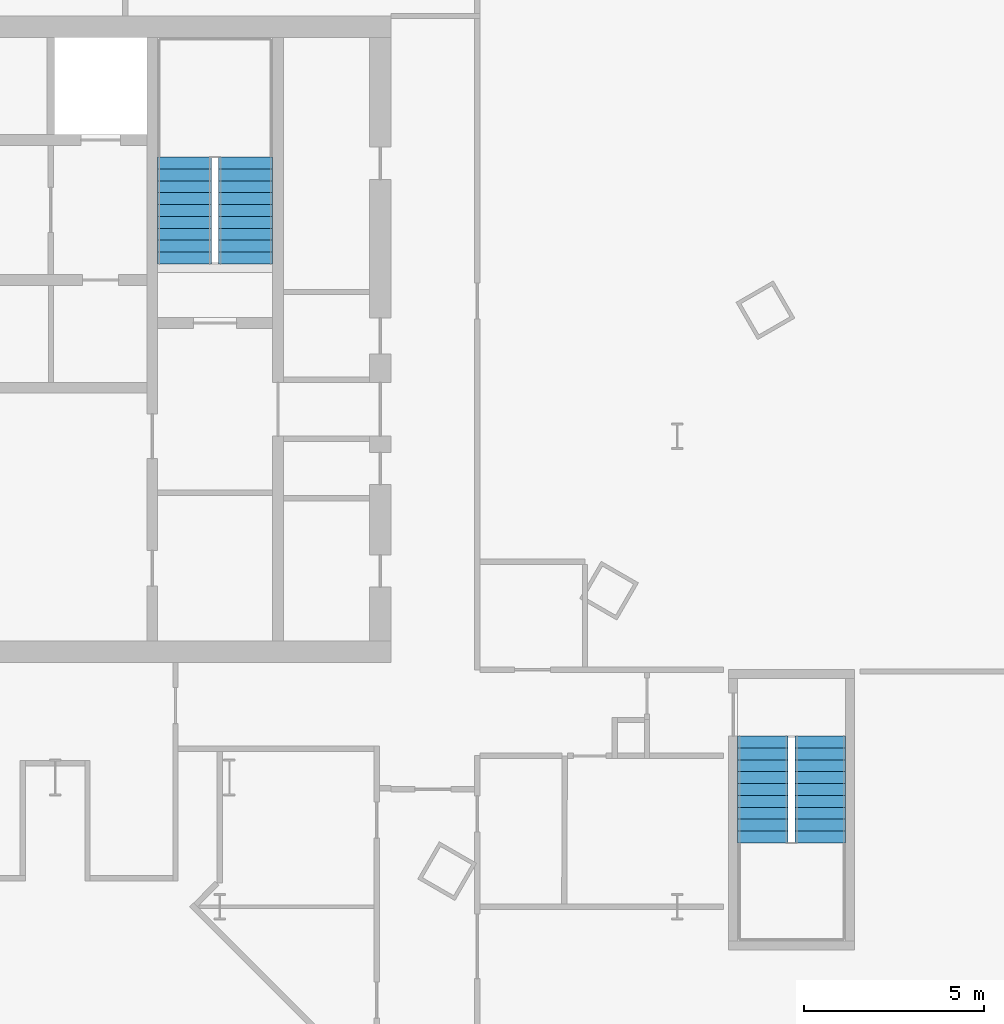
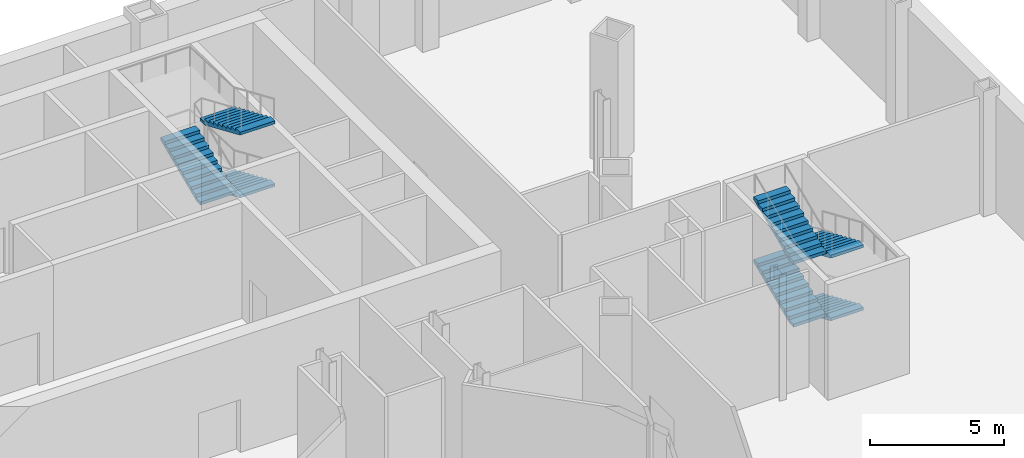
# One storey, part 15 of 17: 7 stair flights, 2 elements without a shape of their own.
"""IFC4 building model written with IfcOpenShell, lengths in metres."""

from ifc_helpers import new_model, si_unit, direction, frame, origin, place, context, subcontext, project, spatial, polygons, material, type_object, element, aggregate, save


model = new_model("IFC4")

# Units and contexts
model_context = context("Model", 3, precision=1e-05, world=origin(), true_north=direction((0.0, 1.0)))
body_context = subcontext(model_context, "Body", "Model", "MODEL_VIEW")
ifc_project = project(units=[si_unit("LENGTHUNIT", "METRE"), si_unit("AREAUNIT", "SQUARE_METRE"), si_unit("VOLUMEUNIT", "CUBIC_METRE"), si_unit("PLANEANGLEUNIT", "RADIAN"), si_unit("MASSUNIT", "GRAM", prefix="KILO")], contexts=[model_context])

# Site, building, storey
site_placement = place(None, origin())
site = spatial("IfcSite", under=ifc_project, at=site_placement, CompositionType="ELEMENT")
building_placement = place(site_placement, origin())
building = spatial("IfcBuilding", under=site, at=building_placement, Name="Njiva Tower", CompositionType="ELEMENT")
storey_placement = place(building_placement, frame((0.0, 0.0, -11.4)))
storey = spatial("IfcBuildingStorey", under=building, at=storey_placement, Name="B2", CompositionType="ELEMENT", Elevation=-11.4)

# Stair, stair flights
ifc_material = material(Name="Concrete C40/50", Category="concrete")
stair_type_1 = type_object("IfcStairType", Name="ST2 Exit stair 1400", PredefinedType="HALF_TURN_STAIR", material=ifc_material)
stair_1_placement = place(storey_placement, origin())
stair_1 = element("IfcStair", 1, at=stair_1_placement, inside=storey, type_object=stair_type_1, Name="Stair G basement", PredefinedType="DOUBLE_RETURN_STAIR")
stair_flight_type_1 = type_object("IfcStairFlightType", Name="FL2 Stair flight 1400", PredefinedType="STRAIGHT", material=ifc_material)
stair_flight_1_placement = place(storey_placement, frame((29.45, -2.05, 0.0), z_axis=(0.0, 0.0, 1.0), x_axis=(0.0, -1.0, 0.0)))
stair_flight_1 = element("IfcStairFlight", 2, at=stair_flight_1_placement, type_object=stair_flight_type_1, Name="ST-GB flight 1", NumberOfRisers=10, NumberOfTreads=9, PredefinedType="STRAIGHT", RiserHeight=0.1425, TreadLength=0.33, context=body_context, shape_type="Tessellation", body=[
    polygons([(0.0, 0.7, 0.0), (0.0, 0.35, 0.0), (0.0, 0.0, 0.0), (0.0, -0.35, 0.0), (0.0, -0.7, 0.0), (0.0, 0.7, 0.1425), (0.0, 0.35, 0.1425), (0.0, 0.0, 0.1425), (0.0, -0.35, 0.1425), (0.0, -0.7, 0.1425), (0.33, 0.7, 0.1425), (0.33, 0.35, 0.1425), (0.33, 0.0, 0.1425), (0.33, -0.35, 0.1425), (0.33, -0.7, 0.1425), (0.33, 0.7, 0.285), (0.33, 0.35, 0.285), (0.33, 0.0, 0.285), (0.33, -0.35, 0.285), (0.33, -0.7, 0.285), (0.66, 0.7, 0.285), (0.66, 0.35, 0.285), (0.66, 0.0, 0.285), (0.66, -0.35, 0.285), (0.66, -0.7, 0.285), (0.66, 0.7, 0.4275), (0.66, 0.35, 0.4275), (0.66, 0.0, 0.4275), (0.66, -0.35, 0.4275), (0.66, -0.7, 0.4275), (0.99, 0.7, 0.4275), (0.99, 0.35, 0.4275), (0.99, 0.0, 0.4275), (0.99, -0.35, 0.4275), (0.99, -0.7, 0.4275), (0.99, 0.7, 0.57), (0.99, 0.35, 0.57), (0.99, 0.0, 0.57), (0.99, -0.35, 0.57), (0.99, -0.7, 0.57), (1.32, 0.7, 0.57), (1.32, 0.35, 0.57), (1.32, 0.0, 0.57), (1.32, -0.35, 0.57), (1.32, -0.7, 0.57), (1.32, 0.7, 0.7125), (1.32, 0.35, 0.7125), (1.32, 0.0, 0.7125), (1.32, -0.35, 0.7125), (1.32, -0.7, 0.7125), (1.65, 0.7, 0.7125), (1.65, 0.35, 0.7125), (1.65, 0.0, 0.7125), (1.65, -0.35, 0.7125), (1.65, -0.7, 0.7125), (1.65, 0.7, 0.855), (1.65, 0.35, 0.855), (1.65, 0.0, 0.855), (1.65, -0.35, 0.855), (1.65, -0.7, 0.855), (1.98, 0.7, 0.855), (1.98, 0.35, 0.855), (1.98, 0.0, 0.855), (1.98, -0.35, 0.855), (1.98, -0.7, 0.855), (1.98, 0.7, 0.9975), (1.98, 0.35, 0.9975), (1.98, 0.0, 0.9975), (1.98, -0.35, 0.9975), (1.98, -0.7, 0.9975), (2.31, 0.7, 0.9975), (2.31, 0.35, 0.9975), (2.31, 0.0, 0.9975), (2.31, -0.35, 0.9975), (2.31, -0.7, 0.9975), (2.31, 0.7, 1.14), (2.31, 0.35, 1.14), (2.31, 0.0, 1.14), (2.31, -0.35, 1.14), (2.31, -0.7, 1.14), (2.64, 0.7, 1.14), (2.64, 0.35, 1.14), (2.64, 0.0, 1.14), (2.64, -0.35, 1.14), (2.64, -0.7, 1.14), (2.64, 0.7, 1.2825), (2.64, 0.35, 1.2825), (2.64, 0.0, 1.2825), (2.64, -0.35, 1.2825), (2.64, -0.7, 1.2825), (2.97, 0.7, 1.2825), (2.97, 0.35, 1.2825), (2.97, 0.0, 1.2825), (2.97, -0.35, 1.2825), (2.97, -0.7, 1.2825), (2.97, 0.7, 1.1518), (2.97, 0.35, 1.1518), (2.97, 0.0, 1.1518), (2.97, -0.35, 1.1518), (2.97, -0.7, 1.1518), (0.3027, 0.7, 0.0), (0.3027, 0.35, 0.0), (0.3027, 0.0, 0.0), (0.3027, -0.35, 0.0), (0.3027, -0.7, 0.0)], [[[1, 6, 11, 16, 21, 26, 31, 36, 41, 46, 51, 56, 61, 66, 71, 76, 81, 86, 91, 96, 101]], [[105, 100, 95, 90, 85, 80, 75, 70, 65, 60, 55, 50, 45, 40, 35, 30, 25, 20, 15, 10, 5]], [[6, 1, 2, 7]], [[7, 2, 3, 8]], [[8, 3, 4, 9]], [[9, 4, 5, 10]], [[11, 6, 7, 12]], [[12, 7, 8, 13]], [[13, 8, 9, 14]], [[14, 9, 10, 15]], [[16, 11, 12, 17]], [[17, 12, 13, 18]], [[18, 13, 14, 19]], [[19, 14, 15, 20]], [[21, 16, 17, 22]], [[22, 17, 18, 23]], [[23, 18, 19, 24]], [[24, 19, 20, 25]], [[26, 21, 22, 27]], [[27, 22, 23, 28]], [[28, 23, 24, 29]], [[29, 24, 25, 30]], [[31, 26, 27, 32]], [[32, 27, 28, 33]], [[33, 28, 29, 34]], [[34, 29, 30, 35]], [[36, 31, 32, 37]], [[37, 32, 33, 38]], [[38, 33, 34, 39]], [[39, 34, 35, 40]], [[41, 36, 37, 42]], [[42, 37, 38, 43]], [[43, 38, 39, 44]], [[44, 39, 40, 45]], [[46, 41, 42, 47]], [[47, 42, 43, 48]], [[48, 43, 44, 49]], [[49, 44, 45, 50]], [[51, 46, 47, 52]], [[52, 47, 48, 53]], [[53, 48, 49, 54]], [[54, 49, 50, 55]], [[56, 51, 52, 57]], [[57, 52, 53, 58]], [[58, 53, 54, 59]], [[59, 54, 55, 60]], [[61, 56, 57, 62]], [[62, 57, 58, 63]], [[63, 58, 59, 64]], [[64, 59, 60, 65]], [[66, 61, 62, 67]], [[67, 62, 63, 68]], [[68, 63, 64, 69]], [[69, 64, 65, 70]], [[71, 66, 67, 72]], [[72, 67, 68, 73]], [[73, 68, 69, 74]], [[74, 69, 70, 75]], [[76, 71, 72, 77]], [[77, 72, 73, 78]], [[78, 73, 74, 79]], [[79, 74, 75, 80]], [[81, 76, 77, 82]], [[82, 77, 78, 83]], [[83, 78, 79, 84]], [[84, 79, 80, 85]], [[86, 81, 82, 87]], [[87, 82, 83, 88]], [[88, 83, 84, 89]], [[89, 84, 85, 90]], [[91, 86, 87, 92]], [[92, 87, 88, 93]], [[93, 88, 89, 94]], [[94, 89, 90, 95]], [[96, 91, 92, 97]], [[97, 92, 93, 98]], [[98, 93, 94, 99]], [[99, 94, 95, 100]], [[101, 96, 97, 102]], [[102, 97, 98, 103]], [[103, 98, 99, 104]], [[104, 99, 100, 105]], [[1, 101, 102, 2]], [[2, 102, 103, 3]], [[3, 103, 104, 4]], [[4, 104, 105, 5]]], closed=True),
])
stair_flight_2_placement = place(storey_placement, frame((27.85, -5.02, 1.425), z_axis=(0.0, 0.0, 1.0), x_axis=(0.0, 1.0, 0.0)))
stair_flight_2 = element("IfcStairFlight", 3, at=stair_flight_2_placement, type_object=stair_flight_type_1, Name="ST-GB flight 2", NumberOfRisers=10, NumberOfTreads=9, PredefinedType="STRAIGHT", RiserHeight=0.1425, TreadLength=0.33, context=body_context, shape_type="Tessellation", body=[
    polygons([(0.0, 0.7, 0.0), (0.0, 0.35, 0.0), (0.0, 0.0, 0.0), (0.0, -0.35, 0.0), (0.0, -0.7, 0.0), (0.0, 0.7, 0.1425), (0.0, 0.35, 0.1425), (0.0, 0.0, 0.1425), (0.0, -0.35, 0.1425), (0.0, -0.7, 0.1425), (0.33, 0.7, 0.1425), (0.33, 0.35, 0.1425), (0.33, 0.0, 0.1425), (0.33, -0.35, 0.1425), (0.33, -0.7, 0.1425), (0.33, 0.7, 0.285), (0.33, 0.35, 0.285), (0.33, 0.0, 0.285), (0.33, -0.35, 0.285), (0.33, -0.7, 0.285), (0.66, 0.7, 0.285), (0.66, 0.35, 0.285), (0.66, 0.0, 0.285), (0.66, -0.35, 0.285), (0.66, -0.7, 0.285), (0.66, 0.7, 0.4275), (0.66, 0.35, 0.4275), (0.66, 0.0, 0.4275), (0.66, -0.35, 0.4275), (0.66, -0.7, 0.4275), (0.99, 0.7, 0.4275), (0.99, 0.35, 0.4275), (0.99, 0.0, 0.4275), (0.99, -0.35, 0.4275), (0.99, -0.7, 0.4275), (0.99, 0.7, 0.57), (0.99, 0.35, 0.57), (0.99, 0.0, 0.57), (0.99, -0.35, 0.57), (0.99, -0.7, 0.57), (1.32, 0.7, 0.57), (1.32, 0.35, 0.57), (1.32, 0.0, 0.57), (1.32, -0.35, 0.57), (1.32, -0.7, 0.57), (1.32, 0.7, 0.7125), (1.32, 0.35, 0.7125), (1.32, 0.0, 0.7125), (1.32, -0.35, 0.7125), (1.32, -0.7, 0.7125), (1.65, 0.7, 0.7125), (1.65, 0.35, 0.7125), (1.65, 0.0, 0.7125), (1.65, -0.35, 0.7125), (1.65, -0.7, 0.7125), (1.65, 0.7, 0.855), (1.65, 0.35, 0.855), (1.65, 0.0, 0.855), (1.65, -0.35, 0.855), (1.65, -0.7, 0.855), (1.98, 0.7, 0.855), (1.98, 0.35, 0.855), (1.98, 0.0, 0.855), (1.98, -0.35, 0.855), (1.98, -0.7, 0.855), (1.98, 0.7, 0.9975), (1.98, 0.35, 0.9975), (1.98, 0.0, 0.9975), (1.98, -0.35, 0.9975), (1.98, -0.7, 0.9975), (2.31, 0.7, 0.9975), (2.31, 0.35, 0.9975), (2.31, 0.0, 0.9975), (2.31, -0.35, 0.9975), (2.31, -0.7, 0.9975), (2.31, 0.7, 1.14), (2.31, 0.35, 1.14), (2.31, 0.0, 1.14), (2.31, -0.35, 1.14), (2.31, -0.7, 1.14), (2.64, 0.7, 1.14), (2.64, 0.35, 1.14), (2.64, 0.0, 1.14), (2.64, -0.35, 1.14), (2.64, -0.7, 1.14), (2.64, 0.7, 1.2825), (2.64, 0.35, 1.2825), (2.64, 0.0, 1.2825), (2.64, -0.35, 1.2825), (2.64, -0.7, 1.2825), (2.97, 0.7, 1.2825), (2.97, 0.35, 1.2825), (2.97, 0.0, 1.2825), (2.97, -0.35, 1.2825), (2.97, -0.7, 1.2825), (2.97, 0.7, 1.1518), (2.97, 0.35, 1.1518), (2.97, 0.0, 1.1518), (2.97, -0.35, 1.1518), (2.97, -0.7, 1.1518), (0.3027, 0.7, 0.0), (0.3027, 0.35, 0.0), (0.3027, 0.0, 0.0), (0.3027, -0.35, 0.0), (0.3027, -0.7, 0.0)], [[[1, 6, 11, 16, 21, 26, 31, 36, 41, 46, 51, 56, 61, 66, 71, 76, 81, 86, 91, 96, 101]], [[105, 100, 95, 90, 85, 80, 75, 70, 65, 60, 55, 50, 45, 40, 35, 30, 25, 20, 15, 10, 5]], [[6, 1, 2, 7]], [[7, 2, 3, 8]], [[8, 3, 4, 9]], [[9, 4, 5, 10]], [[11, 6, 7, 12]], [[12, 7, 8, 13]], [[13, 8, 9, 14]], [[14, 9, 10, 15]], [[16, 11, 12, 17]], [[17, 12, 13, 18]], [[18, 13, 14, 19]], [[19, 14, 15, 20]], [[21, 16, 17, 22]], [[22, 17, 18, 23]], [[23, 18, 19, 24]], [[24, 19, 20, 25]], [[26, 21, 22, 27]], [[27, 22, 23, 28]], [[28, 23, 24, 29]], [[29, 24, 25, 30]], [[31, 26, 27, 32]], [[32, 27, 28, 33]], [[33, 28, 29, 34]], [[34, 29, 30, 35]], [[36, 31, 32, 37]], [[37, 32, 33, 38]], [[38, 33, 34, 39]], [[39, 34, 35, 40]], [[41, 36, 37, 42]], [[42, 37, 38, 43]], [[43, 38, 39, 44]], [[44, 39, 40, 45]], [[46, 41, 42, 47]], [[47, 42, 43, 48]], [[48, 43, 44, 49]], [[49, 44, 45, 50]], [[51, 46, 47, 52]], [[52, 47, 48, 53]], [[53, 48, 49, 54]], [[54, 49, 50, 55]], [[56, 51, 52, 57]], [[57, 52, 53, 58]], [[58, 53, 54, 59]], [[59, 54, 55, 60]], [[61, 56, 57, 62]], [[62, 57, 58, 63]], [[63, 58, 59, 64]], [[64, 59, 60, 65]], [[66, 61, 62, 67]], [[67, 62, 63, 68]], [[68, 63, 64, 69]], [[69, 64, 65, 70]], [[71, 66, 67, 72]], [[72, 67, 68, 73]], [[73, 68, 69, 74]], [[74, 69, 70, 75]], [[76, 71, 72, 77]], [[77, 72, 73, 78]], [[78, 73, 74, 79]], [[79, 74, 75, 80]], [[81, 76, 77, 82]], [[82, 77, 78, 83]], [[83, 78, 79, 84]], [[84, 79, 80, 85]], [[86, 81, 82, 87]], [[87, 82, 83, 88]], [[88, 83, 84, 89]], [[89, 84, 85, 90]], [[91, 86, 87, 92]], [[92, 87, 88, 93]], [[93, 88, 89, 94]], [[94, 89, 90, 95]], [[96, 91, 92, 97]], [[97, 92, 93, 98]], [[98, 93, 94, 99]], [[99, 94, 95, 100]], [[101, 96, 97, 102]], [[102, 97, 98, 103]], [[103, 98, 99, 104]], [[104, 99, 100, 105]], [[1, 101, 102, 2]], [[2, 102, 103, 3]], [[3, 103, 104, 4]], [[4, 104, 105, 5]]], closed=True),
])
stair_flight_3_placement = place(storey_placement, frame((29.45, -2.05, 2.85), z_axis=(0.0, 0.0, 1.0), x_axis=(0.0, -1.0, 0.0)))
stair_flight_3 = element("IfcStairFlight", 4, at=stair_flight_3_placement, type_object=stair_flight_type_1, Name="ST-GB flight 3", NumberOfRisers=10, NumberOfTreads=9, PredefinedType="STRAIGHT", RiserHeight=0.1425, TreadLength=0.33, context=body_context, shape_type="Tessellation", body=[
    polygons([(0.0, 0.7, 0.0), (0.0, 0.35, 0.0), (0.0, 0.0, 0.0), (0.0, -0.35, 0.0), (0.0, -0.7, 0.0), (0.0, 0.7, 0.1425), (0.0, 0.35, 0.1425), (0.0, 0.0, 0.1425), (0.0, -0.35, 0.1425), (0.0, -0.7, 0.1425), (0.33, 0.7, 0.1425), (0.33, 0.35, 0.1425), (0.33, 0.0, 0.1425), (0.33, -0.35, 0.1425), (0.33, -0.7, 0.1425), (0.33, 0.7, 0.285), (0.33, 0.35, 0.285), (0.33, 0.0, 0.285), (0.33, -0.35, 0.285), (0.33, -0.7, 0.285), (0.66, 0.7, 0.285), (0.66, 0.35, 0.285), (0.66, 0.0, 0.285), (0.66, -0.35, 0.285), (0.66, -0.7, 0.285), (0.66, 0.7, 0.4275), (0.66, 0.35, 0.4275), (0.66, 0.0, 0.4275), (0.66, -0.35, 0.4275), (0.66, -0.7, 0.4275), (0.99, 0.7, 0.4275), (0.99, 0.35, 0.4275), (0.99, 0.0, 0.4275), (0.99, -0.35, 0.4275), (0.99, -0.7, 0.4275), (0.99, 0.7, 0.57), (0.99, 0.35, 0.57), (0.99, 0.0, 0.57), (0.99, -0.35, 0.57), (0.99, -0.7, 0.57), (1.32, 0.7, 0.57), (1.32, 0.35, 0.57), (1.32, 0.0, 0.57), (1.32, -0.35, 0.57), (1.32, -0.7, 0.57), (1.32, 0.7, 0.7125), (1.32, 0.35, 0.7125), (1.32, 0.0, 0.7125), (1.32, -0.35, 0.7125), (1.32, -0.7, 0.7125), (1.65, 0.7, 0.7125), (1.65, 0.35, 0.7125), (1.65, 0.0, 0.7125), (1.65, -0.35, 0.7125), (1.65, -0.7, 0.7125), (1.65, 0.7, 0.855), (1.65, 0.35, 0.855), (1.65, 0.0, 0.855), (1.65, -0.35, 0.855), (1.65, -0.7, 0.855), (1.98, 0.7, 0.855), (1.98, 0.35, 0.855), (1.98, 0.0, 0.855), (1.98, -0.35, 0.855), (1.98, -0.7, 0.855), (1.98, 0.7, 0.9975), (1.98, 0.35, 0.9975), (1.98, 0.0, 0.9975), (1.98, -0.35, 0.9975), (1.98, -0.7, 0.9975), (2.31, 0.7, 0.9975), (2.31, 0.35, 0.9975), (2.31, 0.0, 0.9975), (2.31, -0.35, 0.9975), (2.31, -0.7, 0.9975), (2.31, 0.7, 1.14), (2.31, 0.35, 1.14), (2.31, 0.0, 1.14), (2.31, -0.35, 1.14), (2.31, -0.7, 1.14), (2.64, 0.7, 1.14), (2.64, 0.35, 1.14), (2.64, 0.0, 1.14), (2.64, -0.35, 1.14), (2.64, -0.7, 1.14), (2.64, 0.7, 1.2825), (2.64, 0.35, 1.2825), (2.64, 0.0, 1.2825), (2.64, -0.35, 1.2825), (2.64, -0.7, 1.2825), (2.97, 0.7, 1.2825), (2.97, 0.35, 1.2825), (2.97, 0.0, 1.2825), (2.97, -0.35, 1.2825), (2.97, -0.7, 1.2825), (2.97, 0.7, 1.1518), (2.97, 0.35, 1.1518), (2.97, 0.0, 1.1518), (2.97, -0.35, 1.1518), (2.97, -0.7, 1.1518), (0.3027, 0.7, 0.0), (0.3027, 0.35, 0.0), (0.3027, 0.0, 0.0), (0.3027, -0.35, 0.0), (0.3027, -0.7, 0.0)], [[[1, 6, 11, 16, 21, 26, 31, 36, 41, 46, 51, 56, 61, 66, 71, 76, 81, 86, 91, 96, 101]], [[105, 100, 95, 90, 85, 80, 75, 70, 65, 60, 55, 50, 45, 40, 35, 30, 25, 20, 15, 10, 5]], [[6, 1, 2, 7]], [[7, 2, 3, 8]], [[8, 3, 4, 9]], [[9, 4, 5, 10]], [[11, 6, 7, 12]], [[12, 7, 8, 13]], [[13, 8, 9, 14]], [[14, 9, 10, 15]], [[16, 11, 12, 17]], [[17, 12, 13, 18]], [[18, 13, 14, 19]], [[19, 14, 15, 20]], [[21, 16, 17, 22]], [[22, 17, 18, 23]], [[23, 18, 19, 24]], [[24, 19, 20, 25]], [[26, 21, 22, 27]], [[27, 22, 23, 28]], [[28, 23, 24, 29]], [[29, 24, 25, 30]], [[31, 26, 27, 32]], [[32, 27, 28, 33]], [[33, 28, 29, 34]], [[34, 29, 30, 35]], [[36, 31, 32, 37]], [[37, 32, 33, 38]], [[38, 33, 34, 39]], [[39, 34, 35, 40]], [[41, 36, 37, 42]], [[42, 37, 38, 43]], [[43, 38, 39, 44]], [[44, 39, 40, 45]], [[46, 41, 42, 47]], [[47, 42, 43, 48]], [[48, 43, 44, 49]], [[49, 44, 45, 50]], [[51, 46, 47, 52]], [[52, 47, 48, 53]], [[53, 48, 49, 54]], [[54, 49, 50, 55]], [[56, 51, 52, 57]], [[57, 52, 53, 58]], [[58, 53, 54, 59]], [[59, 54, 55, 60]], [[61, 56, 57, 62]], [[62, 57, 58, 63]], [[63, 58, 59, 64]], [[64, 59, 60, 65]], [[66, 61, 62, 67]], [[67, 62, 63, 68]], [[68, 63, 64, 69]], [[69, 64, 65, 70]], [[71, 66, 67, 72]], [[72, 67, 68, 73]], [[73, 68, 69, 74]], [[74, 69, 70, 75]], [[76, 71, 72, 77]], [[77, 72, 73, 78]], [[78, 73, 74, 79]], [[79, 74, 75, 80]], [[81, 76, 77, 82]], [[82, 77, 78, 83]], [[83, 78, 79, 84]], [[84, 79, 80, 85]], [[86, 81, 82, 87]], [[87, 82, 83, 88]], [[88, 83, 84, 89]], [[89, 84, 85, 90]], [[91, 86, 87, 92]], [[92, 87, 88, 93]], [[93, 88, 89, 94]], [[94, 89, 90, 95]], [[96, 91, 92, 97]], [[97, 92, 93, 98]], [[98, 93, 94, 99]], [[99, 94, 95, 100]], [[101, 96, 97, 102]], [[102, 97, 98, 103]], [[103, 98, 99, 104]], [[104, 99, 100, 105]], [[1, 101, 102, 2]], [[2, 102, 103, 3]], [[3, 103, 104, 4]], [[4, 104, 105, 5]]], closed=True),
])
stair_flight_4_placement = place(storey_placement, frame((27.85, -5.02, 4.275), z_axis=(0.0, 0.0, 1.0), x_axis=(0.0, 1.0, 0.0)))
stair_flight_4 = element("IfcStairFlight", 5, at=stair_flight_4_placement, type_object=stair_flight_type_1, Name="ST-GB flight 4", NumberOfRisers=10, NumberOfTreads=9, PredefinedType="STRAIGHT", RiserHeight=0.1425, TreadLength=0.33, context=body_context, shape_type="Tessellation", body=[
    polygons([(0.0, 0.7, 0.0), (0.0, 0.35, 0.0), (0.0, 0.0, 0.0), (0.0, -0.35, 0.0), (0.0, -0.7, 0.0), (0.0, 0.7, 0.1425), (0.0, 0.35, 0.1425), (0.0, 0.0, 0.1425), (0.0, -0.35, 0.1425), (0.0, -0.7, 0.1425), (0.33, 0.7, 0.1425), (0.33, 0.35, 0.1425), (0.33, 0.0, 0.1425), (0.33, -0.35, 0.1425), (0.33, -0.7, 0.1425), (0.33, 0.7, 0.285), (0.33, 0.35, 0.285), (0.33, 0.0, 0.285), (0.33, -0.35, 0.285), (0.33, -0.7, 0.285), (0.66, 0.7, 0.285), (0.66, 0.35, 0.285), (0.66, 0.0, 0.285), (0.66, -0.35, 0.285), (0.66, -0.7, 0.285), (0.66, 0.7, 0.4275), (0.66, 0.35, 0.4275), (0.66, 0.0, 0.4275), (0.66, -0.35, 0.4275), (0.66, -0.7, 0.4275), (0.99, 0.7, 0.4275), (0.99, 0.35, 0.4275), (0.99, 0.0, 0.4275), (0.99, -0.35, 0.4275), (0.99, -0.7, 0.4275), (0.99, 0.7, 0.57), (0.99, 0.35, 0.57), (0.99, 0.0, 0.57), (0.99, -0.35, 0.57), (0.99, -0.7, 0.57), (1.32, 0.7, 0.57), (1.32, 0.35, 0.57), (1.32, 0.0, 0.57), (1.32, -0.35, 0.57), (1.32, -0.7, 0.57), (1.32, 0.7, 0.7125), (1.32, 0.35, 0.7125), (1.32, 0.0, 0.7125), (1.32, -0.35, 0.7125), (1.32, -0.7, 0.7125), (1.65, 0.7, 0.7125), (1.65, 0.35, 0.7125), (1.65, 0.0, 0.7125), (1.65, -0.35, 0.7125), (1.65, -0.7, 0.7125), (1.65, 0.7, 0.855), (1.65, 0.35, 0.855), (1.65, 0.0, 0.855), (1.65, -0.35, 0.855), (1.65, -0.7, 0.855), (1.98, 0.7, 0.855), (1.98, 0.35, 0.855), (1.98, 0.0, 0.855), (1.98, -0.35, 0.855), (1.98, -0.7, 0.855), (1.98, 0.7, 0.9975), (1.98, 0.35, 0.9975), (1.98, 0.0, 0.9975), (1.98, -0.35, 0.9975), (1.98, -0.7, 0.9975), (2.31, 0.7, 0.9975), (2.31, 0.35, 0.9975), (2.31, 0.0, 0.9975), (2.31, -0.35, 0.9975), (2.31, -0.7, 0.9975), (2.31, 0.7, 1.14), (2.31, 0.35, 1.14), (2.31, 0.0, 1.14), (2.31, -0.35, 1.14), (2.31, -0.7, 1.14), (2.64, 0.7, 1.14), (2.64, 0.35, 1.14), (2.64, 0.0, 1.14), (2.64, -0.35, 1.14), (2.64, -0.7, 1.14), (2.64, 0.7, 1.2825), (2.64, 0.35, 1.2825), (2.64, 0.0, 1.2825), (2.64, -0.35, 1.2825), (2.64, -0.7, 1.2825), (2.97, 0.7, 1.2825), (2.97, 0.35, 1.2825), (2.97, 0.0, 1.2825), (2.97, -0.35, 1.2825), (2.97, -0.7, 1.2825), (2.97, 0.7, 1.1518), (2.97, 0.35, 1.1518), (2.97, 0.0, 1.1518), (2.97, -0.35, 1.1518), (2.97, -0.7, 1.1518), (0.3027, 0.7, 0.0), (0.3027, 0.35, 0.0), (0.3027, 0.0, 0.0), (0.3027, -0.35, 0.0), (0.3027, -0.7, 0.0)], [[[1, 6, 11, 16, 21, 26, 31, 36, 41, 46, 51, 56, 61, 66, 71, 76, 81, 86, 91, 96, 101]], [[105, 100, 95, 90, 85, 80, 75, 70, 65, 60, 55, 50, 45, 40, 35, 30, 25, 20, 15, 10, 5]], [[6, 1, 2, 7]], [[7, 2, 3, 8]], [[8, 3, 4, 9]], [[9, 4, 5, 10]], [[11, 6, 7, 12]], [[12, 7, 8, 13]], [[13, 8, 9, 14]], [[14, 9, 10, 15]], [[16, 11, 12, 17]], [[17, 12, 13, 18]], [[18, 13, 14, 19]], [[19, 14, 15, 20]], [[21, 16, 17, 22]], [[22, 17, 18, 23]], [[23, 18, 19, 24]], [[24, 19, 20, 25]], [[26, 21, 22, 27]], [[27, 22, 23, 28]], [[28, 23, 24, 29]], [[29, 24, 25, 30]], [[31, 26, 27, 32]], [[32, 27, 28, 33]], [[33, 28, 29, 34]], [[34, 29, 30, 35]], [[36, 31, 32, 37]], [[37, 32, 33, 38]], [[38, 33, 34, 39]], [[39, 34, 35, 40]], [[41, 36, 37, 42]], [[42, 37, 38, 43]], [[43, 38, 39, 44]], [[44, 39, 40, 45]], [[46, 41, 42, 47]], [[47, 42, 43, 48]], [[48, 43, 44, 49]], [[49, 44, 45, 50]], [[51, 46, 47, 52]], [[52, 47, 48, 53]], [[53, 48, 49, 54]], [[54, 49, 50, 55]], [[56, 51, 52, 57]], [[57, 52, 53, 58]], [[58, 53, 54, 59]], [[59, 54, 55, 60]], [[61, 56, 57, 62]], [[62, 57, 58, 63]], [[63, 58, 59, 64]], [[64, 59, 60, 65]], [[66, 61, 62, 67]], [[67, 62, 63, 68]], [[68, 63, 64, 69]], [[69, 64, 65, 70]], [[71, 66, 67, 72]], [[72, 67, 68, 73]], [[73, 68, 69, 74]], [[74, 69, 70, 75]], [[76, 71, 72, 77]], [[77, 72, 73, 78]], [[78, 73, 74, 79]], [[79, 74, 75, 80]], [[81, 76, 77, 82]], [[82, 77, 78, 83]], [[83, 78, 79, 84]], [[84, 79, 80, 85]], [[86, 81, 82, 87]], [[87, 82, 83, 88]], [[88, 83, 84, 89]], [[89, 84, 85, 90]], [[91, 86, 87, 92]], [[92, 87, 88, 93]], [[93, 88, 89, 94]], [[94, 89, 90, 95]], [[96, 91, 92, 97]], [[97, 92, 93, 98]], [[98, 93, 94, 99]], [[99, 94, 95, 100]], [[101, 96, 97, 102]], [[102, 97, 98, 103]], [[103, 98, 99, 104]], [[104, 99, 100, 105]], [[1, 101, 102, 2]], [[2, 102, 103, 3]], [[3, 103, 104, 4]], [[4, 104, 105, 5]]], closed=True),
])
aggregate(stair_1, [stair_flight_1, stair_flight_2, stair_flight_3, stair_flight_4])

stair_type_2 = type_object("IfcStairType", Name="ST4 Exit stair 1500", PredefinedType="HALF_TURN_STAIR", material=ifc_material)
stair_2_placement = place(storey_placement, origin())
stair_2 = element("IfcStair", 6, at=stair_2_placement, inside=storey, type_object=stair_type_2, Name="Stair B basement", PredefinedType="DOUBLE_RETURN_STAIR")
stair_flight_type_2 = type_object("IfcStairFlightType", Name="FL4 Stair flight 1500", PredefinedType="STRAIGHT", material=ifc_material)
stair_flight_5_placement = place(storey_placement, frame((13.45, 14.07, 1.425), z_axis=(0.0, 0.0, 1.0), x_axis=(0.0, -1.0, 0.0)))
stair_flight_5 = element("IfcStairFlight", 7, at=stair_flight_5_placement, type_object=stair_flight_type_2, Name="ST-BB flight 2", NumberOfRisers=10, NumberOfTreads=9, PredefinedType="STRAIGHT", RiserHeight=0.1425, TreadLength=0.33, context=body_context, shape_type="Tessellation", body=[
    polygons([(0.0, 0.75, 0.0), (0.0, 0.375, 0.0), (0.0, 0.0, 0.0), (0.0, -0.375, 0.0), (0.0, -0.75, 0.0), (0.0, 0.75, 0.1425), (0.0, 0.375, 0.1425), (0.0, 0.0, 0.1425), (0.0, -0.375, 0.1425), (0.0, -0.75, 0.1425), (0.33, 0.75, 0.1425), (0.33, 0.375, 0.1425), (0.33, 0.0, 0.1425), (0.33, -0.375, 0.1425), (0.33, -0.75, 0.1425), (0.33, 0.75, 0.285), (0.33, 0.375, 0.285), (0.33, 0.0, 0.285), (0.33, -0.375, 0.285), (0.33, -0.75, 0.285), (0.66, 0.75, 0.285), (0.66, 0.375, 0.285), (0.66, 0.0, 0.285), (0.66, -0.375, 0.285), (0.66, -0.75, 0.285), (0.66, 0.75, 0.4275), (0.66, 0.375, 0.4275), (0.66, 0.0, 0.4275), (0.66, -0.375, 0.4275), (0.66, -0.75, 0.4275), (0.99, 0.75, 0.4275), (0.99, 0.375, 0.4275), (0.99, 0.0, 0.4275), (0.99, -0.375, 0.4275), (0.99, -0.75, 0.4275), (0.99, 0.75, 0.57), (0.99, 0.375, 0.57), (0.99, 0.0, 0.57), (0.99, -0.375, 0.57), (0.99, -0.75, 0.57), (1.32, 0.75, 0.57), (1.32, 0.375, 0.57), (1.32, 0.0, 0.57), (1.32, -0.375, 0.57), (1.32, -0.75, 0.57), (1.32, 0.75, 0.7125), (1.32, 0.375, 0.7125), (1.32, 0.0, 0.7125), (1.32, -0.375, 0.7125), (1.32, -0.75, 0.7125), (1.65, 0.75, 0.7125), (1.65, 0.375, 0.7125), (1.65, 0.0, 0.7125), (1.65, -0.375, 0.7125), (1.65, -0.75, 0.7125), (1.65, 0.75, 0.855), (1.65, 0.375, 0.855), (1.65, 0.0, 0.855), (1.65, -0.375, 0.855), (1.65, -0.75, 0.855), (1.98, 0.75, 0.855), (1.98, 0.375, 0.855), (1.98, 0.0, 0.855), (1.98, -0.375, 0.855), (1.98, -0.75, 0.855), (1.98, 0.75, 0.9975), (1.98, 0.375, 0.9975), (1.98, 0.0, 0.9975), (1.98, -0.375, 0.9975), (1.98, -0.75, 0.9975), (2.31, 0.75, 0.9975), (2.31, 0.375, 0.9975), (2.31, 0.0, 0.9975), (2.31, -0.375, 0.9975), (2.31, -0.75, 0.9975), (2.31, 0.75, 1.14), (2.31, 0.375, 1.14), (2.31, 0.0, 1.14), (2.31, -0.375, 1.14), (2.31, -0.75, 1.14), (2.64, 0.75, 1.14), (2.64, 0.375, 1.14), (2.64, 0.0, 1.14), (2.64, -0.375, 1.14), (2.64, -0.75, 1.14), (2.64, 0.75, 1.2825), (2.64, 0.375, 1.2825), (2.64, 0.0, 1.2825), (2.64, -0.375, 1.2825), (2.64, -0.75, 1.2825), (2.97, 0.75, 1.2825), (2.97, 0.375, 1.2825), (2.97, 0.0, 1.2825), (2.97, -0.375, 1.2825), (2.97, -0.75, 1.2825), (2.97, 0.75, 1.1518), (2.97, 0.375, 1.1518), (2.97, 0.0, 1.1518), (2.97, -0.375, 1.1518), (2.97, -0.75, 1.1518), (0.3027, 0.75, 0.0), (0.3027, 0.375, 0.0), (0.3027, 0.0, 0.0), (0.3027, -0.375, 0.0), (0.3027, -0.75, 0.0)], [[[1, 6, 11, 16, 21, 26, 31, 36, 41, 46, 51, 56, 61, 66, 71, 76, 81, 86, 91, 96, 101]], [[105, 100, 95, 90, 85, 80, 75, 70, 65, 60, 55, 50, 45, 40, 35, 30, 25, 20, 15, 10, 5]], [[6, 1, 2, 7]], [[7, 2, 3, 8]], [[8, 3, 4, 9]], [[9, 4, 5, 10]], [[11, 6, 7, 12]], [[12, 7, 8, 13]], [[13, 8, 9, 14]], [[14, 9, 10, 15]], [[16, 11, 12, 17]], [[17, 12, 13, 18]], [[18, 13, 14, 19]], [[19, 14, 15, 20]], [[21, 16, 17, 22]], [[22, 17, 18, 23]], [[23, 18, 19, 24]], [[24, 19, 20, 25]], [[26, 21, 22, 27]], [[27, 22, 23, 28]], [[28, 23, 24, 29]], [[29, 24, 25, 30]], [[31, 26, 27, 32]], [[32, 27, 28, 33]], [[33, 28, 29, 34]], [[34, 29, 30, 35]], [[36, 31, 32, 37]], [[37, 32, 33, 38]], [[38, 33, 34, 39]], [[39, 34, 35, 40]], [[41, 36, 37, 42]], [[42, 37, 38, 43]], [[43, 38, 39, 44]], [[44, 39, 40, 45]], [[46, 41, 42, 47]], [[47, 42, 43, 48]], [[48, 43, 44, 49]], [[49, 44, 45, 50]], [[51, 46, 47, 52]], [[52, 47, 48, 53]], [[53, 48, 49, 54]], [[54, 49, 50, 55]], [[56, 51, 52, 57]], [[57, 52, 53, 58]], [[58, 53, 54, 59]], [[59, 54, 55, 60]], [[61, 56, 57, 62]], [[62, 57, 58, 63]], [[63, 58, 59, 64]], [[64, 59, 60, 65]], [[66, 61, 62, 67]], [[67, 62, 63, 68]], [[68, 63, 64, 69]], [[69, 64, 65, 70]], [[71, 66, 67, 72]], [[72, 67, 68, 73]], [[73, 68, 69, 74]], [[74, 69, 70, 75]], [[76, 71, 72, 77]], [[77, 72, 73, 78]], [[78, 73, 74, 79]], [[79, 74, 75, 80]], [[81, 76, 77, 82]], [[82, 77, 78, 83]], [[83, 78, 79, 84]], [[84, 79, 80, 85]], [[86, 81, 82, 87]], [[87, 82, 83, 88]], [[88, 83, 84, 89]], [[89, 84, 85, 90]], [[91, 86, 87, 92]], [[92, 87, 88, 93]], [[93, 88, 89, 94]], [[94, 89, 90, 95]], [[96, 91, 92, 97]], [[97, 92, 93, 98]], [[98, 93, 94, 99]], [[99, 94, 95, 100]], [[101, 96, 97, 102]], [[102, 97, 98, 103]], [[103, 98, 99, 104]], [[104, 99, 100, 105]], [[1, 101, 102, 2]], [[2, 102, 103, 3]], [[3, 103, 104, 4]], [[4, 104, 105, 5]]], closed=True),
])
stair_flight_6_placement = place(storey_placement, frame((11.75, 11.1, 2.85), z_axis=(0.0, 0.0, 1.0), x_axis=(0.0, 1.0, 0.0)))
stair_flight_6 = element("IfcStairFlight", 8, at=stair_flight_6_placement, type_object=stair_flight_type_2, Name="ST-BB flight 3", NumberOfRisers=10, NumberOfTreads=9, PredefinedType="STRAIGHT", RiserHeight=0.1425, TreadLength=0.33, context=body_context, shape_type="Tessellation", body=[
    polygons([(0.0, 0.75, 0.0), (0.0, 0.375, 0.0), (0.0, 0.0, 0.0), (0.0, -0.375, 0.0), (0.0, -0.75, 0.0), (0.0, 0.75, 0.1425), (0.0, 0.375, 0.1425), (0.0, 0.0, 0.1425), (0.0, -0.375, 0.1425), (0.0, -0.75, 0.1425), (0.33, 0.75, 0.1425), (0.33, 0.375, 0.1425), (0.33, 0.0, 0.1425), (0.33, -0.375, 0.1425), (0.33, -0.75, 0.1425), (0.33, 0.75, 0.285), (0.33, 0.375, 0.285), (0.33, 0.0, 0.285), (0.33, -0.375, 0.285), (0.33, -0.75, 0.285), (0.66, 0.75, 0.285), (0.66, 0.375, 0.285), (0.66, 0.0, 0.285), (0.66, -0.375, 0.285), (0.66, -0.75, 0.285), (0.66, 0.75, 0.4275), (0.66, 0.375, 0.4275), (0.66, 0.0, 0.4275), (0.66, -0.375, 0.4275), (0.66, -0.75, 0.4275), (0.99, 0.75, 0.4275), (0.99, 0.375, 0.4275), (0.99, 0.0, 0.4275), (0.99, -0.375, 0.4275), (0.99, -0.75, 0.4275), (0.99, 0.75, 0.57), (0.99, 0.375, 0.57), (0.99, 0.0, 0.57), (0.99, -0.375, 0.57), (0.99, -0.75, 0.57), (1.32, 0.75, 0.57), (1.32, 0.375, 0.57), (1.32, 0.0, 0.57), (1.32, -0.375, 0.57), (1.32, -0.75, 0.57), (1.32, 0.75, 0.7125), (1.32, 0.375, 0.7125), (1.32, 0.0, 0.7125), (1.32, -0.375, 0.7125), (1.32, -0.75, 0.7125), (1.65, 0.75, 0.7125), (1.65, 0.375, 0.7125), (1.65, 0.0, 0.7125), (1.65, -0.375, 0.7125), (1.65, -0.75, 0.7125), (1.65, 0.75, 0.855), (1.65, 0.375, 0.855), (1.65, 0.0, 0.855), (1.65, -0.375, 0.855), (1.65, -0.75, 0.855), (1.98, 0.75, 0.855), (1.98, 0.375, 0.855), (1.98, 0.0, 0.855), (1.98, -0.375, 0.855), (1.98, -0.75, 0.855), (1.98, 0.75, 0.9975), (1.98, 0.375, 0.9975), (1.98, 0.0, 0.9975), (1.98, -0.375, 0.9975), (1.98, -0.75, 0.9975), (2.31, 0.75, 0.9975), (2.31, 0.375, 0.9975), (2.31, 0.0, 0.9975), (2.31, -0.375, 0.9975), (2.31, -0.75, 0.9975), (2.31, 0.75, 1.14), (2.31, 0.375, 1.14), (2.31, 0.0, 1.14), (2.31, -0.375, 1.14), (2.31, -0.75, 1.14), (2.64, 0.75, 1.14), (2.64, 0.375, 1.14), (2.64, 0.0, 1.14), (2.64, -0.375, 1.14), (2.64, -0.75, 1.14), (2.64, 0.75, 1.2825), (2.64, 0.375, 1.2825), (2.64, 0.0, 1.2825), (2.64, -0.375, 1.2825), (2.64, -0.75, 1.2825), (2.97, 0.75, 1.2825), (2.97, 0.375, 1.2825), (2.97, 0.0, 1.2825), (2.97, -0.375, 1.2825), (2.97, -0.75, 1.2825), (2.97, 0.75, 1.1518), (2.97, 0.375, 1.1518), (2.97, 0.0, 1.1518), (2.97, -0.375, 1.1518), (2.97, -0.75, 1.1518), (0.3027, 0.75, 0.0), (0.3027, 0.375, 0.0), (0.3027, 0.0, 0.0), (0.3027, -0.375, 0.0), (0.3027, -0.75, 0.0)], [[[1, 6, 11, 16, 21, 26, 31, 36, 41, 46, 51, 56, 61, 66, 71, 76, 81, 86, 91, 96, 101]], [[105, 100, 95, 90, 85, 80, 75, 70, 65, 60, 55, 50, 45, 40, 35, 30, 25, 20, 15, 10, 5]], [[6, 1, 2, 7]], [[7, 2, 3, 8]], [[8, 3, 4, 9]], [[9, 4, 5, 10]], [[11, 6, 7, 12]], [[12, 7, 8, 13]], [[13, 8, 9, 14]], [[14, 9, 10, 15]], [[16, 11, 12, 17]], [[17, 12, 13, 18]], [[18, 13, 14, 19]], [[19, 14, 15, 20]], [[21, 16, 17, 22]], [[22, 17, 18, 23]], [[23, 18, 19, 24]], [[24, 19, 20, 25]], [[26, 21, 22, 27]], [[27, 22, 23, 28]], [[28, 23, 24, 29]], [[29, 24, 25, 30]], [[31, 26, 27, 32]], [[32, 27, 28, 33]], [[33, 28, 29, 34]], [[34, 29, 30, 35]], [[36, 31, 32, 37]], [[37, 32, 33, 38]], [[38, 33, 34, 39]], [[39, 34, 35, 40]], [[41, 36, 37, 42]], [[42, 37, 38, 43]], [[43, 38, 39, 44]], [[44, 39, 40, 45]], [[46, 41, 42, 47]], [[47, 42, 43, 48]], [[48, 43, 44, 49]], [[49, 44, 45, 50]], [[51, 46, 47, 52]], [[52, 47, 48, 53]], [[53, 48, 49, 54]], [[54, 49, 50, 55]], [[56, 51, 52, 57]], [[57, 52, 53, 58]], [[58, 53, 54, 59]], [[59, 54, 55, 60]], [[61, 56, 57, 62]], [[62, 57, 58, 63]], [[63, 58, 59, 64]], [[64, 59, 60, 65]], [[66, 61, 62, 67]], [[67, 62, 63, 68]], [[68, 63, 64, 69]], [[69, 64, 65, 70]], [[71, 66, 67, 72]], [[72, 67, 68, 73]], [[73, 68, 69, 74]], [[74, 69, 70, 75]], [[76, 71, 72, 77]], [[77, 72, 73, 78]], [[78, 73, 74, 79]], [[79, 74, 75, 80]], [[81, 76, 77, 82]], [[82, 77, 78, 83]], [[83, 78, 79, 84]], [[84, 79, 80, 85]], [[86, 81, 82, 87]], [[87, 82, 83, 88]], [[88, 83, 84, 89]], [[89, 84, 85, 90]], [[91, 86, 87, 92]], [[92, 87, 88, 93]], [[93, 88, 89, 94]], [[94, 89, 90, 95]], [[96, 91, 92, 97]], [[97, 92, 93, 98]], [[98, 93, 94, 99]], [[99, 94, 95, 100]], [[101, 96, 97, 102]], [[102, 97, 98, 103]], [[103, 98, 99, 104]], [[104, 99, 100, 105]], [[1, 101, 102, 2]], [[2, 102, 103, 3]], [[3, 103, 104, 4]], [[4, 104, 105, 5]]], closed=True),
])
stair_flight_7_placement = place(storey_placement, frame((13.45, 14.07, 4.275), z_axis=(0.0, 0.0, 1.0), x_axis=(0.0, -1.0, 0.0)))
stair_flight_7 = element("IfcStairFlight", 9, at=stair_flight_7_placement, type_object=stair_flight_type_2, Name="ST-BB flight 4", NumberOfRisers=10, NumberOfTreads=9, PredefinedType="STRAIGHT", RiserHeight=0.1425, TreadLength=0.33, context=body_context, shape_type="Tessellation", body=[
    polygons([(0.0, 0.75, 0.0), (0.0, 0.375, 0.0), (0.0, 0.0, 0.0), (0.0, -0.375, 0.0), (0.0, -0.75, 0.0), (0.0, 0.75, 0.1425), (0.0, 0.375, 0.1425), (0.0, 0.0, 0.1425), (0.0, -0.375, 0.1425), (0.0, -0.75, 0.1425), (0.33, 0.75, 0.1425), (0.33, 0.375, 0.1425), (0.33, 0.0, 0.1425), (0.33, -0.375, 0.1425), (0.33, -0.75, 0.1425), (0.33, 0.75, 0.285), (0.33, 0.375, 0.285), (0.33, 0.0, 0.285), (0.33, -0.375, 0.285), (0.33, -0.75, 0.285), (0.66, 0.75, 0.285), (0.66, 0.375, 0.285), (0.66, 0.0, 0.285), (0.66, -0.375, 0.285), (0.66, -0.75, 0.285), (0.66, 0.75, 0.4275), (0.66, 0.375, 0.4275), (0.66, 0.0, 0.4275), (0.66, -0.375, 0.4275), (0.66, -0.75, 0.4275), (0.99, 0.75, 0.4275), (0.99, 0.375, 0.4275), (0.99, 0.0, 0.4275), (0.99, -0.375, 0.4275), (0.99, -0.75, 0.4275), (0.99, 0.75, 0.57), (0.99, 0.375, 0.57), (0.99, 0.0, 0.57), (0.99, -0.375, 0.57), (0.99, -0.75, 0.57), (1.32, 0.75, 0.57), (1.32, 0.375, 0.57), (1.32, 0.0, 0.57), (1.32, -0.375, 0.57), (1.32, -0.75, 0.57), (1.32, 0.75, 0.7125), (1.32, 0.375, 0.7125), (1.32, 0.0, 0.7125), (1.32, -0.375, 0.7125), (1.32, -0.75, 0.7125), (1.65, 0.75, 0.7125), (1.65, 0.375, 0.7125), (1.65, 0.0, 0.7125), (1.65, -0.375, 0.7125), (1.65, -0.75, 0.7125), (1.65, 0.75, 0.855), (1.65, 0.375, 0.855), (1.65, 0.0, 0.855), (1.65, -0.375, 0.855), (1.65, -0.75, 0.855), (1.98, 0.75, 0.855), (1.98, 0.375, 0.855), (1.98, 0.0, 0.855), (1.98, -0.375, 0.855), (1.98, -0.75, 0.855), (1.98, 0.75, 0.9975), (1.98, 0.375, 0.9975), (1.98, 0.0, 0.9975), (1.98, -0.375, 0.9975), (1.98, -0.75, 0.9975), (2.31, 0.75, 0.9975), (2.31, 0.375, 0.9975), (2.31, 0.0, 0.9975), (2.31, -0.375, 0.9975), (2.31, -0.75, 0.9975), (2.31, 0.75, 1.14), (2.31, 0.375, 1.14), (2.31, 0.0, 1.14), (2.31, -0.375, 1.14), (2.31, -0.75, 1.14), (2.64, 0.75, 1.14), (2.64, 0.375, 1.14), (2.64, 0.0, 1.14), (2.64, -0.375, 1.14), (2.64, -0.75, 1.14), (2.64, 0.75, 1.2825), (2.64, 0.375, 1.2825), (2.64, 0.0, 1.2825), (2.64, -0.375, 1.2825), (2.64, -0.75, 1.2825), (2.97, 0.75, 1.2825), (2.97, 0.375, 1.2825), (2.97, 0.0, 1.2825), (2.97, -0.375, 1.2825), (2.97, -0.75, 1.2825), (2.97, 0.75, 1.1518), (2.97, 0.375, 1.1518), (2.97, 0.0, 1.1518), (2.97, -0.375, 1.1518), (2.97, -0.75, 1.1518), (0.3027, 0.75, 0.0), (0.3027, 0.375, 0.0), (0.3027, 0.0, 0.0), (0.3027, -0.375, 0.0), (0.3027, -0.75, 0.0)], [[[1, 6, 11, 16, 21, 26, 31, 36, 41, 46, 51, 56, 61, 66, 71, 76, 81, 86, 91, 96, 101]], [[105, 100, 95, 90, 85, 80, 75, 70, 65, 60, 55, 50, 45, 40, 35, 30, 25, 20, 15, 10, 5]], [[6, 1, 2, 7]], [[7, 2, 3, 8]], [[8, 3, 4, 9]], [[9, 4, 5, 10]], [[11, 6, 7, 12]], [[12, 7, 8, 13]], [[13, 8, 9, 14]], [[14, 9, 10, 15]], [[16, 11, 12, 17]], [[17, 12, 13, 18]], [[18, 13, 14, 19]], [[19, 14, 15, 20]], [[21, 16, 17, 22]], [[22, 17, 18, 23]], [[23, 18, 19, 24]], [[24, 19, 20, 25]], [[26, 21, 22, 27]], [[27, 22, 23, 28]], [[28, 23, 24, 29]], [[29, 24, 25, 30]], [[31, 26, 27, 32]], [[32, 27, 28, 33]], [[33, 28, 29, 34]], [[34, 29, 30, 35]], [[36, 31, 32, 37]], [[37, 32, 33, 38]], [[38, 33, 34, 39]], [[39, 34, 35, 40]], [[41, 36, 37, 42]], [[42, 37, 38, 43]], [[43, 38, 39, 44]], [[44, 39, 40, 45]], [[46, 41, 42, 47]], [[47, 42, 43, 48]], [[48, 43, 44, 49]], [[49, 44, 45, 50]], [[51, 46, 47, 52]], [[52, 47, 48, 53]], [[53, 48, 49, 54]], [[54, 49, 50, 55]], [[56, 51, 52, 57]], [[57, 52, 53, 58]], [[58, 53, 54, 59]], [[59, 54, 55, 60]], [[61, 56, 57, 62]], [[62, 57, 58, 63]], [[63, 58, 59, 64]], [[64, 59, 60, 65]], [[66, 61, 62, 67]], [[67, 62, 63, 68]], [[68, 63, 64, 69]], [[69, 64, 65, 70]], [[71, 66, 67, 72]], [[72, 67, 68, 73]], [[73, 68, 69, 74]], [[74, 69, 70, 75]], [[76, 71, 72, 77]], [[77, 72, 73, 78]], [[78, 73, 74, 79]], [[79, 74, 75, 80]], [[81, 76, 77, 82]], [[82, 77, 78, 83]], [[83, 78, 79, 84]], [[84, 79, 80, 85]], [[86, 81, 82, 87]], [[87, 82, 83, 88]], [[88, 83, 84, 89]], [[89, 84, 85, 90]], [[91, 86, 87, 92]], [[92, 87, 88, 93]], [[93, 88, 89, 94]], [[94, 89, 90, 95]], [[96, 91, 92, 97]], [[97, 92, 93, 98]], [[98, 93, 94, 99]], [[99, 94, 95, 100]], [[101, 96, 97, 102]], [[102, 97, 98, 103]], [[103, 98, 99, 104]], [[104, 99, 100, 105]], [[1, 101, 102, 2]], [[2, 102, 103, 3]], [[3, 103, 104, 4]], [[4, 104, 105, 5]]], closed=True),
])
aggregate(stair_2, [stair_flight_5, stair_flight_6, stair_flight_7])

save(model, "model.ifc")
